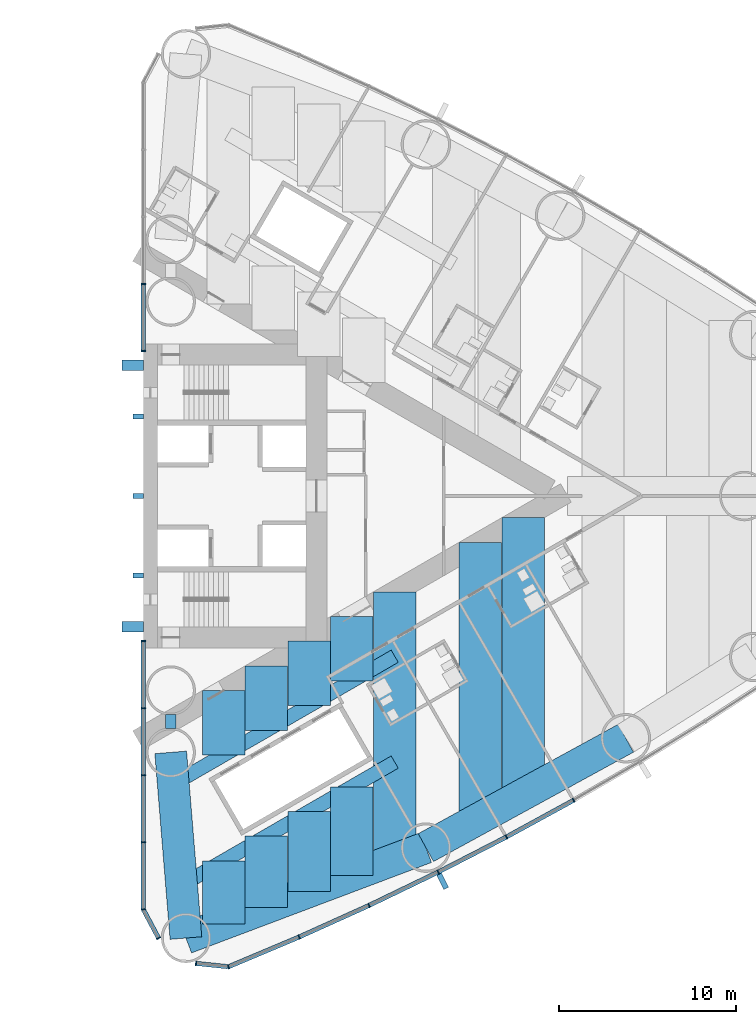
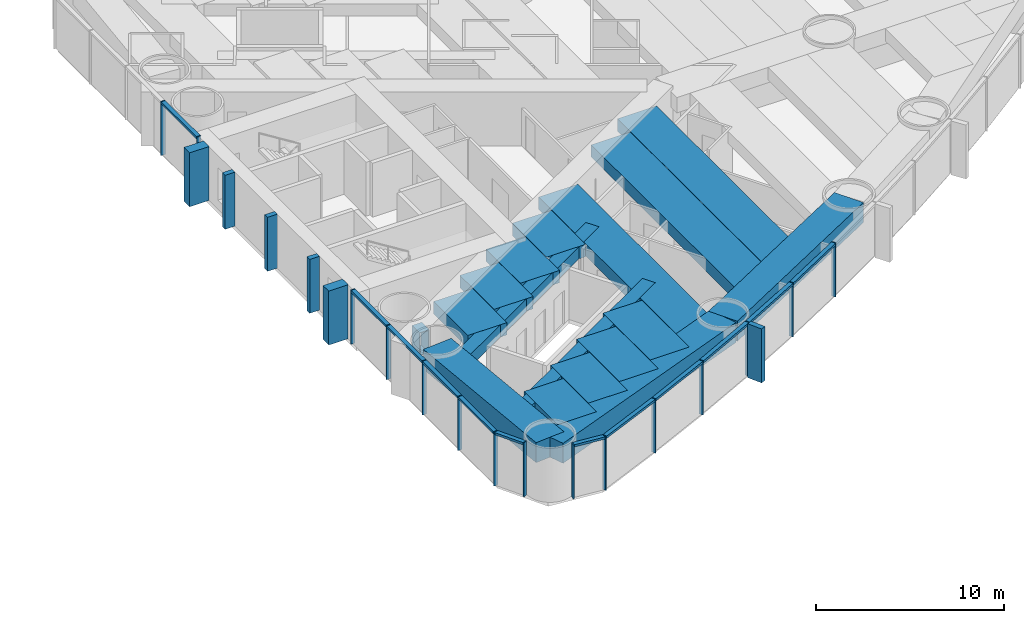
# One storey, part 6 of 19: 33 members, 17 beams, 3 elements without a shape of their own.
"""IFC4 building model written with IfcOpenShell, lengths in metres."""

from ifc_helpers import new_model, si_unit, direction, frame, origin, origin_2d, place, context, subcontext, project, spatial, rectangle, hollow_rectangle, extrude, material, material_profile, profile_set, type_object, element, aggregate, save


model = new_model("IFC4")

# Units and contexts
model_context = context("Model", 3, precision=1e-05, world=origin(), true_north=direction((0.0, 1.0)))
body_context = subcontext(model_context, "Body", "Model", "MODEL_VIEW")
ifc_project = project(units=[si_unit("LENGTHUNIT", "METRE"), si_unit("AREAUNIT", "SQUARE_METRE"), si_unit("VOLUMEUNIT", "CUBIC_METRE"), si_unit("PLANEANGLEUNIT", "RADIAN"), si_unit("MASSUNIT", "GRAM", prefix="KILO")], contexts=[model_context])

# Site, building, storey
site_placement = place(None, origin())
site = spatial("IfcSite", under=ifc_project, at=site_placement, CompositionType="ELEMENT")
building_placement = place(site_placement, origin())
building = spatial("IfcBuilding", under=site, at=building_placement, Name="Lancet Gate Hotel", CompositionType="ELEMENT")
storey_placement = place(building_placement, frame((0.0, 0.0, 35.5)))
storey = spatial("IfcBuildingStorey", under=building, at=storey_placement, Name="L08", CompositionType="ELEMENT", Elevation=35.5)

# Curtain wall, members
ifc_material_1 = material(Name="Aluminium curtain wall", Category="aluminium")
curtain_wall_type = type_object("IfcCurtainWallType", Name="Tower unitised curtain wall", PredefinedType="USERDEFINED", material=ifc_material_1)
curtain_wall_1_placement = place(storey_placement, origin())
curtain_wall_1 = element("IfcCurtainWall", 1, at=curtain_wall_1_placement, inside=storey, type_object=curtain_wall_type, Name="T2 L08 curtain wall 1", ObjectType="UNITISED CURTAIN WALL", PredefinedType="USERDEFINED")
ifc_material_2 = material(Name="Aluminium mullion", Category="aluminium")
ifc_material_profile_1 = material_profile(ifc_material_2, rectangle(XDim=0.06494140625, YDim=0.25, at=origin_2d()), Name="MULLION 65x250")
ifc_profile_set_1 = profile_set([ifc_material_profile_1], Name="Aluminium mullion")
member_type_1 = type_object("IfcMemberType", Name="Aluminium mullion 65x250", PredefinedType="MULLION", material=ifc_profile_set_1)
member_1_placement = place(storey_placement, frame((27.5, -8.199951171875, 0.0), z_axis=(0.0, 0.0, 1.0), x_axis=(0.0, -1.0, 0.0)))
member_1 = element("IfcMember", 2, at=member_1_placement, type_object=member_type_1, Name="T2 L08 curtain wall 1 mullion 1", PredefinedType="MULLION", context=body_context, shape_type="SweptSolid", body=[
    extrude(rectangle(XDim=0.06494140625, YDim=0.25, at=origin_2d()), origin(), (0.0, 0.0, 1.0), 3.5),
])
member_2_placement = place(storey_placement, frame((27.5, -11.99609375, 0.0), z_axis=(0.0, 0.0, 1.0), x_axis=(0.0, -1.0, 0.0)))
member_2 = element("IfcMember", 3, at=member_2_placement, type_object=member_type_1, Name="T2 L08 curtain wall 1 mullion 2", PredefinedType="MULLION", context=body_context, shape_type="SweptSolid", body=[
    extrude(rectangle(XDim=0.06494140625, YDim=0.25, at=origin_2d()), origin(), (0.0, 0.0, 1.0), 3.5),
])
member_3_placement = place(storey_placement, frame((27.5, -15.79248046875, 0.0), z_axis=(0.0, 0.0, 1.0), x_axis=(0.0, -1.0, 0.0)))
member_3 = element("IfcMember", 4, at=member_3_placement, type_object=member_type_1, Name="T2 L08 curtain wall 1 mullion 3", PredefinedType="MULLION", context=body_context, shape_type="SweptSolid", body=[
    extrude(rectangle(XDim=0.06494140625, YDim=0.25, at=origin_2d()), origin(), (0.0, 0.0, 1.0), 3.5),
])
member_4_placement = place(storey_placement, frame((27.5, -19.588623046875, 0.0), z_axis=(0.0, 0.0, 1.0), x_axis=(0.0, -1.0, 0.0)))
member_4 = element("IfcMember", 5, at=member_4_placement, type_object=member_type_1, Name="T2 L08 curtain wall 1 mullion 4", PredefinedType="MULLION", context=body_context, shape_type="SweptSolid", body=[
    extrude(rectangle(XDim=0.06494140625, YDim=0.25, at=origin_2d()), origin(), (0.0, 0.0, 1.0), 3.5),
])
member_5_placement = place(storey_placement, frame((27.5, -23.384765625, 0.0), z_axis=(0.0, 0.0, 1.0), x_axis=(0.157751691459, -0.987478811844, 0.0)))
member_5 = element("IfcMember", 6, at=member_5_placement, type_object=member_type_1, Name="T2 L08 curtain wall 1 mullion 5", PredefinedType="MULLION", context=body_context, shape_type="SweptSolid", body=[
    extrude(rectangle(XDim=0.06494140625, YDim=0.25, at=origin_2d()), origin(), (0.0, 0.0, 1.0), 3.5),
])
member_6_placement = place(storey_placement, frame((28.366455078125, -25.012451171875, 0.0), z_axis=(0.0, 0.0, 1.0), x_axis=(0.469897827284, -0.882720811987, 0.0)))
member_6 = element("IfcMember", 7, at=member_6_placement, type_object=member_type_1, Name="T2 L08 curtain wall 1 mullion 6", PredefinedType="MULLION", context=body_context, shape_type="SweptSolid", body=[
    extrude(rectangle(XDim=0.06494140625, YDim=0.25, at=origin_2d()), origin(), (0.0, 0.0, 1.0), 3.5),
])

curtain_wall_2_placement = place(storey_placement, origin())
curtain_wall_2 = element("IfcCurtainWall", 8, at=curtain_wall_2_placement, inside=storey, type_object=curtain_wall_type, Name="T2 L08 curtain wall 2", ObjectType="UNITISED CURTAIN WALL", PredefinedType="USERDEFINED")
member_7_placement = place(storey_placement, frame((30.48388671875, -26.4375, 0.0), z_axis=(0.0, 0.0, 1.0), x_axis=(0.994672262412, -0.10308778001, 0.0)))
member_7 = element("IfcMember", 9, at=member_7_placement, type_object=member_type_1, Name="T2 L08 curtain wall 2 mullion 1", PredefinedType="MULLION", context=body_context, shape_type="SweptSolid", body=[
    extrude(rectangle(XDim=0.06494140625, YDim=0.25, at=origin_2d()), origin(), (0.0, 0.0, 1.0), 3.5),
])
member_8_placement = place(storey_placement, frame((32.3173828125, -26.62744140625, 0.0), z_axis=(0.0, 0.0, 1.0), x_axis=(0.968721492963, 0.248150496819, 0.0)))
member_8 = element("IfcMember", 10, at=member_8_placement, type_object=member_type_1, Name="T2 L08 curtain wall 2 mullion 2", PredefinedType="MULLION", context=body_context, shape_type="SweptSolid", body=[
    extrude(rectangle(XDim=0.06494140625, YDim=0.25, at=origin_2d()), origin(), (0.0, 0.0, 1.0), 3.5),
])
member_9_placement = place(storey_placement, frame((36.31494140625, -24.943603515625, 0.0), z_axis=(0.0, 0.0, 1.0), x_axis=(0.916578705089, 0.399854320193, 0.0)))
member_9 = element("IfcMember", 11, at=member_9_placement, type_object=member_type_1, Name="T2 L08 curtain wall 2 mullion 3", PredefinedType="MULLION", context=body_context, shape_type="SweptSolid", body=[
    extrude(rectangle(XDim=0.06494140625, YDim=0.25, at=origin_2d()), origin(), (0.0, 0.0, 1.0), 3.5),
])
member_10_placement = place(storey_placement, frame((40.2685546875, -23.15869140625, 0.0), z_axis=(0.0, 0.0, 1.0), x_axis=(0.906104948671, 0.423052977762, 0.0)))
member_10 = element("IfcMember", 12, at=member_10_placement, type_object=member_type_1, Name="T2 L08 curtain wall 2 mullion 4", PredefinedType="MULLION", context=body_context, shape_type="SweptSolid", body=[
    extrude(rectangle(XDim=0.06494140625, YDim=0.25, at=origin_2d()), origin(), (0.0, 0.0, 1.0), 3.5),
])
member_11_placement = place(storey_placement, frame((44.17529296875, -21.273681640625, 0.0), z_axis=(0.0, 0.0, 1.0), x_axis=(0.895044147438, 0.445977548917, 0.0)))
member_11 = element("IfcMember", 13, at=member_11_placement, type_object=member_type_1, Name="T2 L08 curtain wall 2 mullion 5", PredefinedType="MULLION", context=body_context, shape_type="SweptSolid", body=[
    extrude(rectangle(XDim=0.06494140625, YDim=0.25, at=origin_2d()), origin(), (0.0, 0.0, 1.0), 3.5),
])
member_12_placement = place(storey_placement, frame((48.03271484375, -19.2900390625, 0.0), z_axis=(0.0, 0.0, 1.0), x_axis=(0.88340346743, 0.468613181347, 0.0)))
member_12 = element("IfcMember", 14, at=member_12_placement, type_object=member_type_1, Name="T2 L08 curtain wall 2 mullion 6", PredefinedType="MULLION", context=body_context, shape_type="SweptSolid", body=[
    extrude(rectangle(XDim=0.06494140625, YDim=0.25, at=origin_2d()), origin(), (0.0, 0.0, 1.0), 3.5),
])
member_13_placement = place(storey_placement, frame((51.838623046875, -17.208740234375, 0.0), z_axis=(0.0, 0.0, 1.0), x_axis=(0.871190450382, 0.490945209941, 0.0)))
member_13 = element("IfcMember", 15, at=member_13_placement, type_object=member_type_1, Name="T2 L08 curtain wall 2 mullion 7", PredefinedType="MULLION", context=body_context, shape_type="SweptSolid", body=[
    extrude(rectangle(XDim=0.06494140625, YDim=0.25, at=origin_2d()), origin(), (0.0, 0.0, 1.0), 3.5),
])

curtain_wall_3_placement = place(storey_placement, origin())
curtain_wall_3 = element("IfcCurtainWall", 16, at=curtain_wall_3_placement, inside=storey, type_object=curtain_wall_type, Name="T2 L08 curtain wall 4", ObjectType="UNITISED CURTAIN WALL", PredefinedType="USERDEFINED")
member_14_placement = place(storey_placement, frame((27.5, 11.99609375, 0.0), z_axis=(0.0, 0.0, 1.0), x_axis=(0.0, -1.0, 0.0)))
member_14 = element("IfcMember", 17, at=member_14_placement, type_object=member_type_1, Name="T2 L08 curtain wall 4 mullion 5", PredefinedType="MULLION", context=body_context, shape_type="SweptSolid", body=[
    extrude(rectangle(XDim=0.06494140625, YDim=0.25, at=origin_2d()), origin(), (0.0, 0.0, 1.0), 3.5),
])
member_15_placement = place(storey_placement, frame((27.5, 8.199951171875, 0.0), z_axis=(0.0, 0.0, 1.0), x_axis=(0.0, -1.0, 0.0)))
member_15 = element("IfcMember", 18, at=member_15_placement, type_object=member_type_1, Name="T2 L08 curtain wall 4 mullion 6", PredefinedType="MULLION", context=body_context, shape_type="SweptSolid", body=[
    extrude(rectangle(XDim=0.06494140625, YDim=0.25, at=origin_2d()), origin(), (0.0, 0.0, 1.0), 3.5),
])

# Member
ifc_material_3 = material(Name="Aluminium transom", Category="aluminium")
ifc_material_profile_2 = material_profile(ifc_material_3, rectangle(XDim=0.25, YDim=0.14990234375, at=origin_2d()), Name="TRANSOM 250x150")
ifc_profile_set_2 = profile_set([ifc_material_profile_2], Name="Aluminium transom")
member_type_2 = type_object("IfcMemberType", Name="Aluminium transom 250x150", PredefinedType="USERDEFINED", material=ifc_profile_set_2)
member_16_placement = place(storey_placement, frame((27.5, -8.232421875, 3.425048828125), z_axis=(0.0, -1.0, 0.0), x_axis=(1.0, 0.0, 0.0)))
member_16 = element("IfcMember", 19, at=member_16_placement, type_object=member_type_2, Name="T2 L08 curtain wall 1 transom 1", ObjectType="TRANSOM", PredefinedType="USERDEFINED", context=body_context, shape_type="SweptSolid", body=[
    extrude(rectangle(XDim=0.25, YDim=0.14990234375, at=origin_2d()), origin(), (0.0, 0.0, 1.0), 3.731201171875),
])

member_17_placement = place(storey_placement, frame((27.5, -12.02880859375, 3.425048828125), z_axis=(0.0, -1.0, 0.0), x_axis=(1.0, 0.0, 0.0)))
member_17 = element("IfcMember", 20, at=member_17_placement, type_object=member_type_2, Name="T2 L08 curtain wall 1 transom 2", ObjectType="TRANSOM", PredefinedType="USERDEFINED", context=body_context, shape_type="SweptSolid", body=[
    extrude(rectangle(XDim=0.25, YDim=0.14990234375, at=origin_2d()), origin(), (0.0, 0.0, 1.0), 3.731201171875),
])

member_18_placement = place(storey_placement, frame((27.5, -15.824951171875, 3.425048828125), z_axis=(0.0, -1.0, 0.0), x_axis=(1.0, 0.0, 0.0)))
member_18 = element("IfcMember", 21, at=member_18_placement, type_object=member_type_2, Name="T2 L08 curtain wall 1 transom 3", ObjectType="TRANSOM", PredefinedType="USERDEFINED", context=body_context, shape_type="SweptSolid", body=[
    extrude(rectangle(XDim=0.25, YDim=0.14990234375, at=origin_2d()), origin(), (0.0, 0.0, 1.0), 3.731201171875),
])

member_19_placement = place(storey_placement, frame((27.5, -19.62109375, 3.425048828125), z_axis=(0.0, -1.0, 0.0), x_axis=(1.0, 0.0, 0.0)))
member_19 = element("IfcMember", 22, at=member_19_placement, type_object=member_type_2, Name="T2 L08 curtain wall 1 transom 4", ObjectType="TRANSOM", PredefinedType="USERDEFINED", context=body_context, shape_type="SweptSolid", body=[
    extrude(rectangle(XDim=0.25, YDim=0.14990234375, at=origin_2d()), origin(), (0.0, 0.0, 1.0), 3.731201171875),
])

member_20_placement = place(storey_placement, frame((27.515380859375, -23.41357421875, 3.425048828125), z_axis=(0.469904276347, -0.882717378933, 0.0), x_axis=(0.882717378933, 0.469904276347, 0.0)))
member_20 = element("IfcMember", 23, at=member_20_placement, type_object=member_type_2, Name="T2 L08 curtain wall 1 transom 5", ObjectType="TRANSOM", PredefinedType="USERDEFINED", context=body_context, shape_type="SweptSolid", body=[
    extrude(rectangle(XDim=0.25, YDim=0.14990234375, at=origin_2d()), origin(), (0.0, 0.0, 1.0), 1.779052734375),
])

aggregate(curtain_wall_1, [member_1, member_2, member_3, member_4, member_5, member_6, member_16, member_17, member_18, member_19, member_20])

member_21_placement = place(storey_placement, frame((30.516357421875, -26.440673828125, 3.425048828125), z_axis=(0.994670452051, -0.103105246306, 0.0), x_axis=(0.103105246306, 0.994670452051, 0.0)))
member_21 = element("IfcMember", 24, at=member_21_placement, type_object=member_type_2, Name="T2 L08 curtain wall 2 transom 1", ObjectType="TRANSOM", PredefinedType="USERDEFINED", context=body_context, shape_type="SweptSolid", body=[
    extrude(rectangle(XDim=0.25, YDim=0.14990234375, at=origin_2d()), origin(), (0.0, 0.0, 1.0), 1.7783203125),
])

member_22_placement = place(storey_placement, frame((32.347412109375, -26.61474609375, 3.425048828125), z_axis=(0.92159772617, 0.388146404233, 0.0), x_axis=(-0.388146404233, 0.92159772617, 0.0)))
member_22 = element("IfcMember", 25, at=member_22_placement, type_object=member_type_2, Name="T2 L08 curtain wall 2 transom 2", ObjectType="TRANSOM", PredefinedType="USERDEFINED", context=body_context, shape_type="SweptSolid", body=[
    extrude(rectangle(XDim=0.25, YDim=0.14990234375, at=origin_2d()), origin(), (0.0, 0.0, 1.0), 4.272705078125),
])

member_23_placement = place(storey_placement, frame((36.3447265625, -24.930419921875, 3.425048828125), z_axis=(0.911396871737, 0.411528543589, 0.0), x_axis=(-0.411528543589, 0.911396871737, 0.0)))
member_23 = element("IfcMember", 26, at=member_23_placement, type_object=member_type_2, Name="T2 L08 curtain wall 2 transom 3", ObjectType="TRANSOM", PredefinedType="USERDEFINED", context=body_context, shape_type="SweptSolid", body=[
    extrude(rectangle(XDim=0.25, YDim=0.14990234375, at=origin_2d()), origin(), (0.0, 0.0, 1.0), 4.272705078125),
])

member_24_placement = place(storey_placement, frame((40.2978515625, -23.14453125, 3.425048828125), z_axis=(0.900646499888, 0.434552508035, 0.0), x_axis=(-0.434552508035, 0.900646499888, 0.0)))
member_24 = element("IfcMember", 27, at=member_24_placement, type_object=member_type_2, Name="T2 L08 curtain wall 2 transom 4", ObjectType="TRANSOM", PredefinedType="USERDEFINED", context=body_context, shape_type="SweptSolid", body=[
    extrude(rectangle(XDim=0.25, YDim=0.14990234375, at=origin_2d()), origin(), (0.0, 0.0, 1.0), 4.272705078125),
])

member_25_placement = place(storey_placement, frame((44.2041015625, -21.259033203125, 3.425048828125), z_axis=(0.88929576978, 0.457332520002, 0.0), x_axis=(-0.457332520002, 0.88929576978, 0.0)))
member_25 = element("IfcMember", 28, at=member_25_placement, type_object=member_type_2, Name="T2 L08 curtain wall 2 transom 5", ObjectType="TRANSOM", PredefinedType="USERDEFINED", context=body_context, shape_type="SweptSolid", body=[
    extrude(rectangle(XDim=0.25, YDim=0.14990234375, at=origin_2d()), origin(), (0.0, 0.0, 1.0), 4.272705078125),
])

member_26_placement = place(storey_placement, frame((48.061279296875, -19.2744140625, 3.425048828125), z_axis=(0.877377528879, 0.479800658417, 0.0), x_axis=(-0.479800658417, 0.877377528879, 0.0)))
member_26 = element("IfcMember", 29, at=member_26_placement, type_object=member_type_2, Name="T2 L08 curtain wall 2 transom 6", ObjectType="TRANSOM", PredefinedType="USERDEFINED", context=body_context, shape_type="SweptSolid", body=[
    extrude(rectangle(XDim=0.25, YDim=0.14990234375, at=origin_2d()), origin(), (0.0, 0.0, 1.0), 4.272705078125),
])

member_27_placement = place(storey_placement, frame((27.5, 11.963623046875, 3.425048828125), z_axis=(0.0, -1.0, 0.0), x_axis=(1.0, 0.0, 0.0)))
member_27 = element("IfcMember", 30, at=member_27_placement, type_object=member_type_2, Name="T2 L08 curtain wall 4 transom 5", ObjectType="TRANSOM", PredefinedType="USERDEFINED", context=body_context, shape_type="SweptSolid", body=[
    extrude(rectangle(XDim=0.25, YDim=0.14990234375, at=origin_2d()), origin(), (0.0, 0.0, 1.0), 3.731201171875),
])

aggregate(curtain_wall_3, [member_14, member_15, member_27])

# Beams
ifc_material_4 = material(Name="Concrete C50/60", Category="concrete")
ifc_material_profile_3 = material_profile(ifc_material_4, rectangle(XDim=1.800048828125, YDim=1.300048828125, at=origin_2d()), Name="RC 1800x1300")
ifc_profile_set_3 = profile_set([ifc_material_profile_3], Name="Concrete C50/60")
beam_type_1 = type_object("IfcBeamType", Name="Edge beam RC 1800x1300", PredefinedType="SPANDREL", material=ifc_profile_set_3)
beam_1_placement = place(storey_placement, frame((29.9111328125, -25.00244140625, 2.60009765625), z_axis=(0.935736448066, 0.352700013836, 0.0), x_axis=(-0.352700013836, 0.935736448066, 0.0)))
element("IfcBeam", 31, at=beam_1_placement, inside=storey, type_object=beam_type_1, Name="T2 edge beam EB1 L08", PredefinedType="SPANDREL", context=body_context, shape_type="SweptSolid", body=[
    extrude(rectangle(XDim=1.800048828125, YDim=1.300048828125, at=origin_2d()), origin(), (0.0, 0.0, 1.0), 14.505126953125),
])
beam_2_placement = place(storey_placement, frame((43.484130859375, -19.886474609375, 2.60009765625), z_axis=(0.87736889738, 0.479816441893, 0.0), x_axis=(-0.479816441893, 0.87736889738, 0.0)))
element("IfcBeam", 32, at=beam_2_placement, inside=storey, type_object=beam_type_1, Name="T2 edge beam EB1 L08", PredefinedType="SPANDREL", context=body_context, shape_type="SweptSolid", body=[
    extrude(rectangle(XDim=1.800048828125, YDim=1.300048828125, at=origin_2d()), origin(), (0.0, 0.0, 1.0), 12.89208984375),
])
beam_3_placement = place(storey_placement, frame((29.9111328125, -25.00244140625, 2.60009765625), z_axis=(-0.081714744052, 0.996655758326, 0.0), x_axis=(-0.996655758326, -0.081714744052, 0.0)))
element("IfcBeam", 33, at=beam_3_placement, inside=storey, type_object=beam_type_1, Name="T2 edge beam EB1 L08", PredefinedType="SPANDREL", context=body_context, shape_type="SweptSolid", body=[
    extrude(rectangle(XDim=1.800048828125, YDim=1.300048828125, at=origin_2d()), origin(), (0.0, 0.0, 1.0), 10.53759765625),
])

# Members
ifc_material_5 = material(Name="Concrete C60/75", Category="concrete")
ifc_material_profile_4 = material_profile(ifc_material_5, rectangle(XDim=0.60009765625, YDim=1.199951171875, at=origin_2d()), Name="FIN 600x1200")
ifc_profile_set_4 = profile_set([ifc_material_profile_4], Name="Concrete C60/75")
member_type_3 = type_object("IfcMemberType", Name="Exposed concrete buttress pilaster 600x1200", PredefinedType="USERDEFINED", material=ifc_profile_set_4)
for number, where, z_axis, x_axis, name in (
    (34, (26.909912109375, -7.39990234375, 0.0), (0.0, 0.0, 1.0), (0.0, 1.0, 0.0), "T2 buttress pilaster S L08"),
    (35, (26.909912109375, 7.39990234375, 0.0), (0.0, 0.0, 1.0), (0.0, 1.0, 0.0), "T2 buttress pilaster N L08"),
):
    element("IfcMember", number, at=place(storey_placement, frame(where, z_axis=z_axis, x_axis=x_axis)), inside=storey, type_object=member_type_3, Name=name, ObjectType="FIN", PredefinedType="USERDEFINED", context=body_context, shape_type="SweptSolid", body=[
        extrude(rectangle(XDim=0.60009765625, YDim=1.199951171875, at=origin_2d()), origin(), (0.0, 0.0, 1.0), 3.5),
    ])

# Member
ifc_material_6 = material(Name="Precast concrete C50/60", Category="concrete")
ifc_material_profile_5 = material_profile(ifc_material_6, rectangle(XDim=0.300048828125, YDim=0.89990234375, at=origin_2d()), Name="FIN 300x900")
ifc_profile_set_5 = profile_set([ifc_material_profile_5], Name="Precast concrete C50/60")
member_type_4 = type_object("IfcMemberType", Name="Exposed concrete fin 300x900", PredefinedType="USERDEFINED", material=ifc_profile_set_5)
member_28_placement = place(storey_placement, frame((44.431640625, -21.788330078125, 0.0), z_axis=(0.0, 0.0, 1.0), x_axis=(0.895044147438, 0.445977548917, 0.0)))
member_28 = element("IfcMember", 36, at=member_28_placement, type_object=member_type_4, Name="T2 L08 curtain wall 2 fin 5", ObjectType="FIN", PredefinedType="USERDEFINED", context=body_context, shape_type="SweptSolid", body=[
    extrude(rectangle(XDim=0.300048828125, YDim=0.89990234375, at=origin_2d()), origin(), (0.0, 0.0, 1.0), 3.5),
])

aggregate(curtain_wall_2, [member_7, member_8, member_9, member_10, member_11, member_28, member_12, member_13, member_21, member_22, member_23, member_24, member_25, member_26])

# Members
ifc_material_7 = material(Name="Concrete C60/75", Category="concrete")
ifc_material_profile_6 = material_profile(ifc_material_7, rectangle(XDim=0.300048828125, YDim=0.60009765625, at=origin_2d()), Name="FIN 300x600")
ifc_profile_set_6 = profile_set([ifc_material_profile_6], Name="Concrete C60/75")
member_type_5 = type_object("IfcMemberType", Name="Exposed concrete rib 300x600", PredefinedType="USERDEFINED", material=ifc_profile_set_6)
for number, where, z_axis, x_axis, name in (
    (37, (27.2099609375, -4.5, 0.0), (0.0, 0.0, 1.0), (0.0, 1.0, 0.0), "T2 core rib 1 L08"),
    (38, (27.2099609375, 0.0, 0.0), (0.0, 0.0, 1.0), (0.0, 1.0, 0.0), "T2 core rib 2 L08"),
    (39, (27.2099609375, 4.5, 0.0), (0.0, 0.0, 1.0), (0.0, 1.0, 0.0), "T2 core rib 3 L08"),
):
    element("IfcMember", number, at=place(storey_placement, frame(where, z_axis=z_axis, x_axis=x_axis)), inside=storey, type_object=member_type_5, Name=name, ObjectType="FIN", PredefinedType="USERDEFINED", context=body_context, shape_type="SweptSolid", body=[
        extrude(rectangle(XDim=0.300048828125, YDim=0.60009765625, at=origin_2d()), origin(), (0.0, 0.0, 1.0), 3.5),
    ])

# Beams
ifc_material_8 = material(Name="Concrete C50/60", Category="concrete")
ifc_material_profile_7 = material_profile(ifc_material_8, rectangle(XDim=2.39990234375, YDim=0.800048828125, at=origin_2d()), Name="RC 2400x800")
ifc_profile_set_7 = profile_set([ifc_material_profile_7], Name="Concrete C50/60")
beam_type_2 = type_object("IfcBeamType", Name="Floor beam RC 2400x800", PredefinedType="BEAM", material=ifc_profile_set_7)
beam_4_placement = place(storey_placement, frame((41.721435546875, -20.55078125, 2.85009765625), z_axis=(0.0, 1.0, 0.0), x_axis=(-1.0, 0.0, 0.0)))
element("IfcBeam", 40, at=beam_4_placement, inside=storey, type_object=beam_type_2, Name="T2 floor beam F11S L08", PredefinedType="BEAM", context=body_context, shape_type="SweptSolid", body=[
    extrude(rectangle(XDim=2.39990234375, YDim=0.800048828125, at=origin_2d()), origin(), (0.0, 0.0, 1.0), 15.134765625),
])
beam_5_placement = place(storey_placement, frame((46.561767578125, -18.203369140625, 2.85009765625), z_axis=(0.0, 1.0, 0.0), x_axis=(-1.0, 0.0, 0.0)))
element("IfcBeam", 41, at=beam_5_placement, inside=storey, type_object=beam_type_2, Name="T2 floor beam F13S L08", PredefinedType="BEAM", context=body_context, shape_type="SweptSolid", body=[
    extrude(rectangle(XDim=2.39990234375, YDim=0.800048828125, at=origin_2d()), origin(), (0.0, 0.0, 1.0), 15.58203125),
])
beam_6_placement = place(storey_placement, frame((48.98193359375, -16.879638671875, 2.85009765625), z_axis=(0.0, 1.0, 0.0), x_axis=(-1.0, 0.0, 0.0)))
element("IfcBeam", 42, at=beam_6_placement, inside=storey, type_object=beam_type_2, Name="T2 floor beam F15S L08", PredefinedType="BEAM", context=body_context, shape_type="SweptSolid", body=[
    extrude(rectangle(XDim=2.39990234375, YDim=0.800048828125, at=origin_2d()), origin(), (0.0, 0.0, 1.0), 15.655517578125),
])
beam_7_placement = place(storey_placement, frame((32.04052734375, -24.199951171875, 2.85009765625), z_axis=(0.0, 1.0, 0.0), x_axis=(-1.0, 0.0, 0.0)))
element("IfcBeam", 43, at=beam_7_placement, inside=storey, type_object=beam_type_2, Name="T2 floor beam F03SA L08", PredefinedType="BEAM", context=body_context, shape_type="SweptSolid", body=[
    extrude(rectangle(XDim=2.39990234375, YDim=0.800048828125, at=origin_2d()), origin(), (0.0, 0.0, 1.0), 3.5615234375),
])
beam_8_placement = place(storey_placement, frame((32.04052734375, -14.65087890625, 2.85009765625), z_axis=(0.0, 1.0, 0.0), x_axis=(-1.0, 0.0, 0.0)))
element("IfcBeam", 44, at=beam_8_placement, inside=storey, type_object=beam_type_2, Name="T2 floor beam F03SB L08", PredefinedType="BEAM", context=body_context, shape_type="SweptSolid", body=[
    extrude(rectangle(XDim=2.39990234375, YDim=0.800048828125, at=origin_2d()), origin(), (0.0, 0.0, 1.0), 3.6455078125),
])
beam_9_placement = place(storey_placement, frame((34.460693359375, -23.28759765625, 2.85009765625), z_axis=(0.0, 1.0, 0.0), x_axis=(-1.0, 0.0, 0.0)))
element("IfcBeam", 45, at=beam_9_placement, inside=storey, type_object=beam_type_2, Name="T2 floor beam F05SA L08", PredefinedType="BEAM", context=body_context, shape_type="SweptSolid", body=[
    extrude(rectangle(XDim=2.39990234375, YDim=0.800048828125, at=origin_2d()), origin(), (0.0, 0.0, 1.0), 4.04638671875),
])
beam_10_placement = place(storey_placement, frame((34.460693359375, -13.253662109375, 2.85009765625), z_axis=(0.0, 1.0, 0.0), x_axis=(-1.0, 0.0, 0.0)))
element("IfcBeam", 46, at=beam_10_placement, inside=storey, type_object=beam_type_2, Name="T2 floor beam F05SB L08", PredefinedType="BEAM", context=body_context, shape_type="SweptSolid", body=[
    extrude(rectangle(XDim=2.39990234375, YDim=0.800048828125, at=origin_2d()), origin(), (0.0, 0.0, 1.0), 3.645751953125),
])
beam_11_placement = place(storey_placement, frame((36.880859375, -22.37548828125, 2.85009765625), z_axis=(0.0, 1.0, 0.0), x_axis=(-1.0, 0.0, 0.0)))
element("IfcBeam", 47, at=beam_11_placement, inside=storey, type_object=beam_type_2, Name="T2 floor beam F07SA L08", PredefinedType="BEAM", context=body_context, shape_type="SweptSolid", body=[
    extrude(rectangle(XDim=2.39990234375, YDim=0.800048828125, at=origin_2d()), origin(), (0.0, 0.0, 1.0), 4.53173828125),
])
beam_12_placement = place(storey_placement, frame((36.880859375, -11.8564453125, 2.85009765625), z_axis=(0.0, 1.0, 0.0), x_axis=(-1.0, 0.0, 0.0)))
element("IfcBeam", 48, at=beam_12_placement, inside=storey, type_object=beam_type_2, Name="T2 floor beam F07SB L08", PredefinedType="BEAM", context=body_context, shape_type="SweptSolid", body=[
    extrude(rectangle(XDim=2.39990234375, YDim=0.800048828125, at=origin_2d()), origin(), (0.0, 0.0, 1.0), 3.645751953125),
])
beam_13_placement = place(storey_placement, frame((39.301025390625, -21.463134765625, 2.85009765625), z_axis=(0.0, 1.0, 0.0), x_axis=(-1.0, 0.0, 0.0)))
element("IfcBeam", 49, at=beam_13_placement, inside=storey, type_object=beam_type_2, Name="T2 floor beam F09SA L08", PredefinedType="BEAM", context=body_context, shape_type="SweptSolid", body=[
    extrude(rectangle(XDim=2.39990234375, YDim=0.800048828125, at=origin_2d()), origin(), (0.0, 0.0, 1.0), 5.0166015625),
])
beam_14_placement = place(storey_placement, frame((39.301025390625, -10.458984375, 2.85009765625), z_axis=(0.0, 1.0, 0.0), x_axis=(-1.0, 0.0, 0.0)))
element("IfcBeam", 50, at=beam_14_placement, inside=storey, type_object=beam_type_2, Name="T2 floor beam F09SB L08", PredefinedType="BEAM", context=body_context, shape_type="SweptSolid", body=[
    extrude(rectangle(XDim=2.39990234375, YDim=0.800048828125, at=origin_2d()), origin(), (0.0, 0.0, 1.0), 3.6455078125),
])
ifc_material_9 = material(Name="Steel S460QL", Category="steel")
ifc_material_profile_8 = material_profile(ifc_material_9, hollow_rectangle(XDim=0.60009765625, YDim=1.5, WallThickness=0.050048828125, at=origin_2d()), Name="BOX 1500x600x50")
ifc_profile_set_8 = profile_set([ifc_material_profile_8], Name="Steel S460QL")
beam_type_3 = type_object("IfcBeamType", Name="Inner-face link beam BOX 1500x600x50", PredefinedType="BEAM", material=ifc_profile_set_8)
beam_15_placement = place(storey_placement, frame((29.050048828125, -13.14990234375, 2.5), z_axis=(0.0, 1.0, 0.0), x_axis=(-1.0, 0.0, 0.0)))
element("IfcBeam", 51, at=beam_15_placement, inside=storey, type_object=beam_type_3, Name="T2 inner-face link beam LK1 L08", PredefinedType="BEAM", context=body_context, shape_type="SweptSolid", body=[
    extrude(hollow_rectangle(XDim=0.60009765625, YDim=1.5, WallThickness=0.050048828125, at=origin_2d()), origin(), (0.0, 0.0, 1.0), 0.7998046875),
])
ifc_material_10 = material(Name="Steel S460QL", Category="steel")
ifc_material_profile_9 = material_profile(ifc_material_10, hollow_rectangle(XDim=0.800048828125, YDim=0.800048828125, WallThickness=0.080078125, at=origin_2d()), Name="BOX 800x800x80")
ifc_profile_set_9 = profile_set([ifc_material_profile_9], Name="Steel S460QL")
beam_type_4 = type_object("IfcBeamType", Name="Trimmer beam BOX 800x800x80", PredefinedType="BEAM", material=ifc_profile_set_9)
beam_16_placement = place(storey_placement, frame((29.6201171875, -16.048095703125, 2.85009765625), z_axis=(0.866036909293, 0.499980071345, 0.0), x_axis=(-0.499980071345, 0.866036909293, 0.0)))
element("IfcBeam", 52, at=beam_16_placement, inside=storey, type_object=beam_type_4, Name="T2 trimmer beam TR01S L08", PredefinedType="BEAM", context=body_context, shape_type="SweptSolid", body=[
    extrude(hollow_rectangle(XDim=0.800048828125, YDim=0.800048828125, WallThickness=0.080078125, at=origin_2d()), origin(), (0.0, 0.0, 1.0), 13.97314453125),
])
beam_17_placement = place(storey_placement, frame((29.665771484375, -22.00927734375, 2.85009765625), z_axis=(0.866037222451, 0.499979528911, 0.0), x_axis=(-0.499979528911, 0.866037222451, 0.0)))
element("IfcBeam", 53, at=beam_17_placement, inside=storey, type_object=beam_type_4, Name="T2 trimmer beam TR02S L08", PredefinedType="BEAM", context=body_context, shape_type="SweptSolid", body=[
    extrude(hollow_rectangle(XDim=0.800048828125, YDim=0.800048828125, WallThickness=0.080078125, at=origin_2d()), origin(), (0.0, 0.0, 1.0), 13.92041015625),
])

save(model, "model.ifc")
